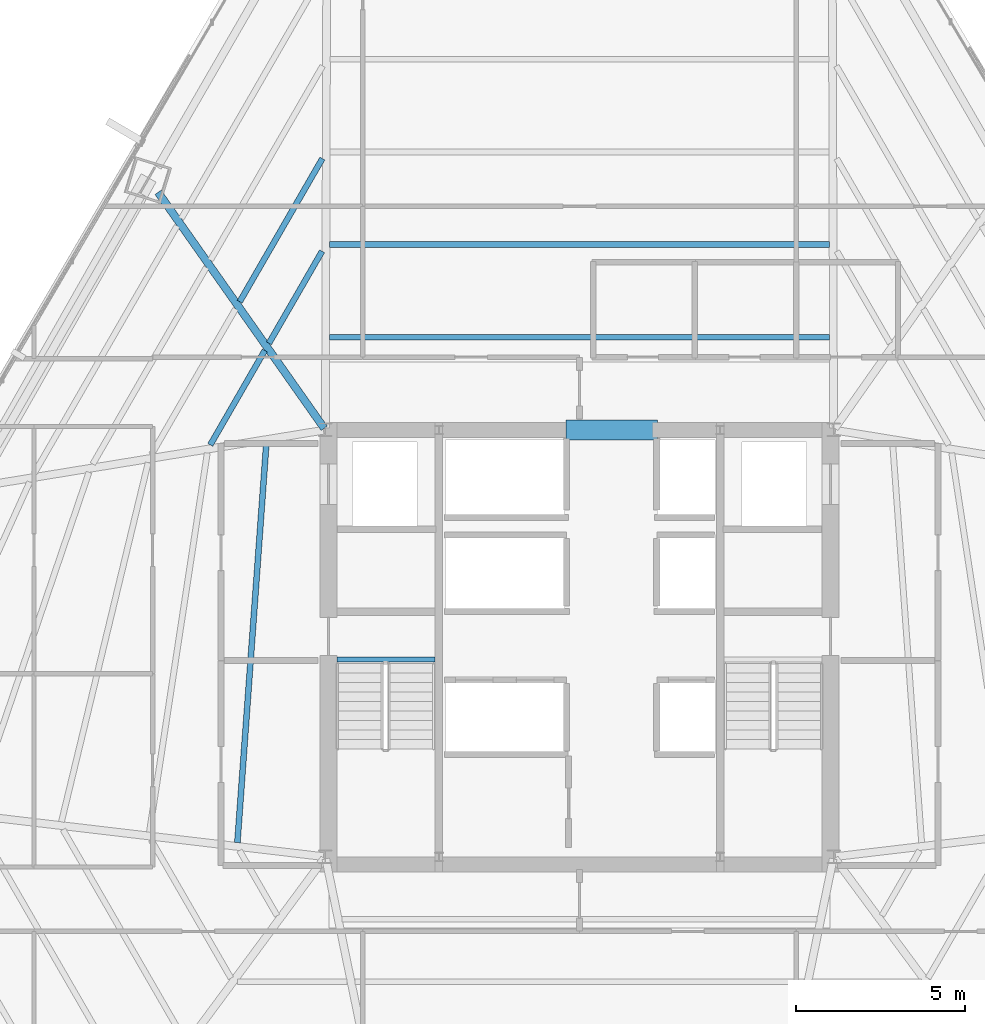
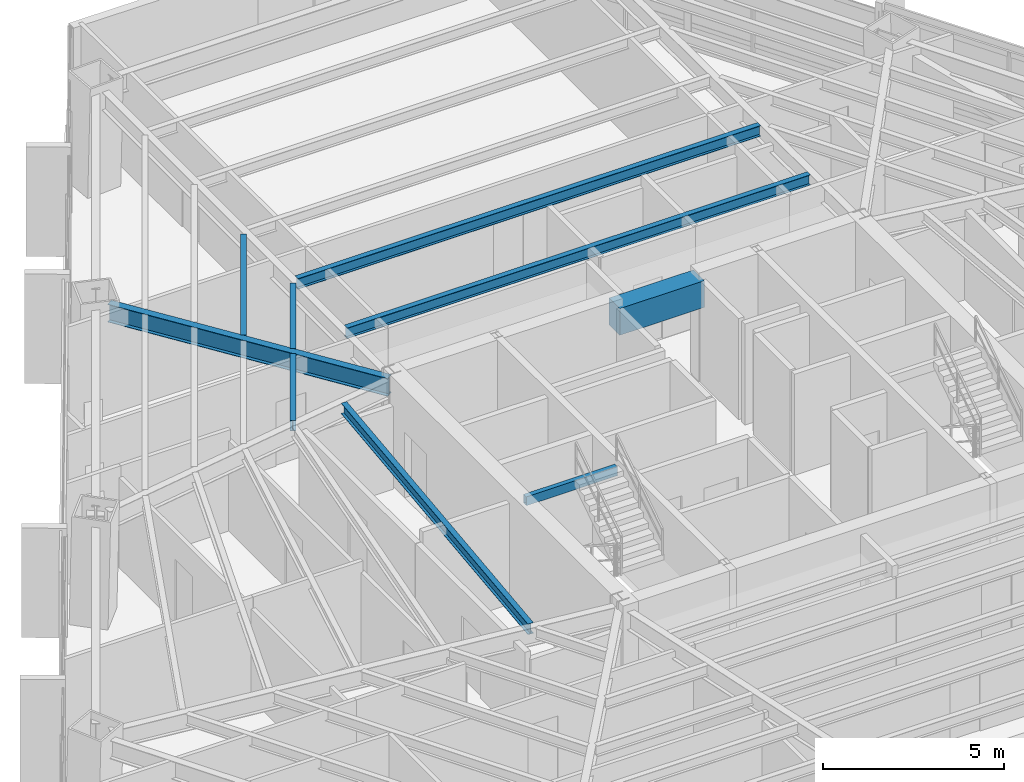
# One storey, part 14 of 37: 9 beams.
"""IFC4 building model written with IfcOpenShell, lengths in metres."""

from ifc_helpers import new_model, si_unit, direction, frame, origin, origin_2d, place, context, subcontext, project, spatial, rectangle, hollow_rectangle, i_section, extrude, source, transform, mapped, material, material_profile, profile_set, type_object, type_shapes, element, save


model = new_model("IFC4")

# Units and contexts
model_context = context("Model", 3, precision=1e-05, world=origin(), true_north=direction((0.0, 1.0)))
body_context = subcontext(model_context, "Body", "Model", "MODEL_VIEW")
ifc_project = project(units=[si_unit("LENGTHUNIT", "METRE"), si_unit("AREAUNIT", "SQUARE_METRE"), si_unit("VOLUMEUNIT", "CUBIC_METRE"), si_unit("PLANEANGLEUNIT", "RADIAN"), si_unit("MASSUNIT", "GRAM", prefix="KILO")], contexts=[model_context])

# Site, building, storey
site_placement = place(None, origin())
site = spatial("IfcSite", under=ifc_project, at=site_placement, CompositionType="ELEMENT")
building_placement = place(site_placement, origin())
building = spatial("IfcBuilding", under=site, at=building_placement, Name="Caelisora Broadcast Tower", CompositionType="ELEMENT")
storey_placement = place(building_placement, frame((0.0, 0.0, 101.75)))
storey = spatial("IfcBuildingStorey", under=building, at=storey_placement, Name="L26", CompositionType="ELEMENT", Elevation=101.75)

# Beams
ifc_material_1 = material(Name="Steel Grade 350 (AS/NZS 1163 C350L0)", Category="steel")
ifc_material_profile_1 = material_profile(ifc_material_1, hollow_rectangle(XDim=0.14990234375, YDim=0.300048828125, WallThickness=0.010009765625, at=origin_2d()), Name="Steel Grade 350 (AS/NZS 1163 C350L0)")
ifc_profile_set_1 = profile_set([ifc_material_profile_1], Name="Steel Grade 350 (AS/NZS 1163 C350L0)")
beam_type_1 = type_object("IfcBeamType", Name="SB05", PredefinedType="JOIST", material=ifc_profile_set_1)
shared_shape_1 = source(origin(), body_context, "Body", "SweptSolid", [
    extrude(hollow_rectangle(XDim=0.14990234375, YDim=0.300048828125, WallThickness=0.010009765625, at=origin_2d()), origin(), (0.0, 0.0, 1.0), 2.89990234375),
])
type_shapes(beam_type_1, [shared_shape_1])
beam_1_placement = place(storey_placement, frame((30.840087890625, 23.219970703125, 3.25), z_axis=(1.0, 0.0, 0.0), x_axis=(0.0, 1.0, 0.0)))
element("IfcBeam", 1, at=beam_1_placement, inside=storey, type_object=beam_type_1, Name="L26 beam SB05", PredefinedType="JOIST", context=body_context, shape_type="MappedRepresentation", body=[
    mapped(shared_shape_1, transform((0.0, 0.0, 0.0), scale=1.0)),
])
ifc_material_2 = material(Name="Concrete 50 MPa (AS 3600 S50)", Category="concrete")
ifc_material_profile_2 = material_profile(ifc_material_2, rectangle(XDim=0.60009765625, YDim=0.89990234375, at=origin_2d()), Name="Concrete 50 MPa (AS 3600 S50)")
ifc_profile_set_2 = profile_set([ifc_material_profile_2], Name="Concrete 50 MPa (AS 3600 S50)")
beam_type_2 = type_object("IfcBeamType", Name="CB02", PredefinedType="LINTEL", material=ifc_profile_set_2)
shared_shape_2 = source(origin(), body_context, "Body", "SweptSolid", [
    extrude(rectangle(XDim=0.60009765625, YDim=0.89990234375, at=origin_2d()), origin(), (0.0, 0.0, 1.0), 2.699951171875),
])
type_shapes(beam_type_2, [shared_shape_2])
beam_2_placement = place(storey_placement, frame((37.60009765625, 30.0, 2.949951171875), z_axis=(1.0, 0.0, 0.0), x_axis=(0.0, 1.0, 0.0)))
element("IfcBeam", 2, at=beam_2_placement, inside=storey, type_object=beam_type_2, Name="L26 beam CB02", PredefinedType="LINTEL", context=body_context, shape_type="MappedRepresentation", body=[
    mapped(shared_shape_2, transform((0.0, 0.0, 0.0), scale=1.0)),
])
ifc_material_3 = material(Name="Steel Grade 350 (AS/NZS 3679.1)", Category="steel")
ifc_material_profile_3 = material_profile(ifc_material_3, i_section(OverallWidth=0.22802734375, OverallDepth=0.602294921875, WebThickness=0.010498046875, FlangeThickness=0.014892578125, at=origin_2d()), Name="Steel Grade 350 (AS/NZS 3679.1)")
ifc_profile_set_3 = profile_set([ifc_material_profile_3], Name="Steel Grade 350 (AS/NZS 3679.1)")
beam_type_3 = type_object("IfcBeamType", Name="PG04", PredefinedType="BEAM", material=ifc_profile_set_3)
shared_shape_3 = source(origin(), body_context, "Body", "SweptSolid", [
    extrude(i_section(OverallWidth=0.22802734375, OverallDepth=0.602294921875, WebThickness=0.010498046875, FlangeThickness=0.014892578125, at=origin_2d()), origin(), (0.0, 0.0, 1.0), 8.516845703125),
])
type_shapes(beam_type_3, [shared_shape_3])
beam_3_placement = place(storey_placement, frame((30.465576171875, 30.049072265625, 3.098876953125), z_axis=(-0.575747581319, 0.817627496239, 0.0), x_axis=(-0.817627496239, -0.575747581319, 0.0)))
element("IfcBeam", 3, at=beam_3_placement, inside=storey, type_object=beam_type_3, Name="L26 beam PG04", PredefinedType="BEAM", context=body_context, shape_type="MappedRepresentation", body=[
    mapped(shared_shape_3, transform((0.0, 0.0, 0.0), scale=1.0)),
])
ifc_material_profile_4 = material_profile(ifc_material_3, i_section(OverallWidth=0.172119140625, OverallDepth=0.358642578125, WebThickness=0.008056640625, FlangeThickness=0.012939453125, at=origin_2d()), Name="Steel Grade 350 (AS/NZS 3679.1)")
ifc_profile_set_4 = profile_set([ifc_material_profile_4], Name="Steel Grade 350 (AS/NZS 3679.1)")
beam_type_4 = type_object("IfcBeamType", Name="SB02", PredefinedType="JOIST", material=ifc_profile_set_4)
shared_shape_4 = source(origin(), body_context, "Body", "SweptSolid", [
    extrude(i_section(OverallWidth=0.172119140625, OverallDepth=0.358642578125, WebThickness=0.008056640625, FlangeThickness=0.012939453125, at=origin_2d()), origin(), (0.0, 0.0, 1.0), 14.76220703125),
])
beam_4_placement = place(storey_placement, frame((45.381103515625, 32.73486328125, 3.220703125), z_axis=(-1.0, 0.0, 0.0), x_axis=(0.0, -1.0, 0.0)))
element("IfcBeam", 4, at=beam_4_placement, inside=storey, type_object=beam_type_4, Name="L26 beam SB02", PredefinedType="JOIST", context=body_context, shape_type="MappedRepresentation", body=[
    mapped(shared_shape_4, transform((0.0, 0.0, 0.0), scale=1.0)),
])
shared_shape_5 = source(origin(), body_context, "Body", "SweptSolid", [
    extrude(i_section(OverallWidth=0.172119140625, OverallDepth=0.358642578125, WebThickness=0.008056640625, FlangeThickness=0.012939453125, at=origin_2d()), origin(), (0.0, 0.0, 1.0), 14.74658203125),
])
beam_5_placement = place(storey_placement, frame((45.373291015625, 35.469482421875, 3.220703125), z_axis=(-1.0, 0.0, 0.0), x_axis=(0.0, -1.0, 0.0)))
element("IfcBeam", 5, at=beam_5_placement, inside=storey, type_object=beam_type_4, Name="L26 beam SB02", PredefinedType="JOIST", context=body_context, shape_type="MappedRepresentation", body=[
    mapped(shared_shape_5, transform((0.0, 0.0, 0.0), scale=1.0)),
])
shared_shape_6 = source(origin(), body_context, "Body", "SweptSolid", [
    extrude(i_section(OverallWidth=0.172119140625, OverallDepth=0.358642578125, WebThickness=0.008056640625, FlangeThickness=0.012939453125, at=origin_2d()), origin(), (0.0, 0.0, 1.0), 3.1357421875),
])
beam_6_placement = place(storey_placement, frame((30.402587890625, 35.273681640625, 3.220703125), z_axis=(-0.500007763792, -0.866020921311, 0.0), x_axis=(0.866020921311, -0.500007763792, 0.0)))
element("IfcBeam", 6, at=beam_6_placement, inside=storey, type_object=beam_type_4, Name="L26 beam SB02", PredefinedType="JOIST", context=body_context, shape_type="MappedRepresentation", body=[
    mapped(shared_shape_6, transform((0.0, 0.0, 0.0), scale=1.0)),
])
shared_shape_7 = source(origin(), body_context, "Body", "SweptSolid", [
    extrude(i_section(OverallWidth=0.172119140625, OverallDepth=0.358642578125, WebThickness=0.008056640625, FlangeThickness=0.012939453125, at=origin_2d()), origin(), (0.0, 0.0, 1.0), 4.8779296875),
])
beam_7_placement = place(storey_placement, frame((30.410400390625, 38.008544921875, 3.220703125), z_axis=(-0.500004065051, -0.866023056814, 0.0), x_axis=(0.866023056814, -0.500004065051, 0.0)))
element("IfcBeam", 7, at=beam_7_placement, inside=storey, type_object=beam_type_4, Name="L26 beam SB02", PredefinedType="JOIST", context=body_context, shape_type="MappedRepresentation", body=[
    mapped(shared_shape_7, transform((0.0, 0.0, 0.0), scale=1.0)),
])
shared_shape_8 = source(origin(), body_context, "Body", "SweptSolid", [
    extrude(i_section(OverallWidth=0.172119140625, OverallDepth=0.358642578125, WebThickness=0.008056640625, FlangeThickness=0.012939453125, at=origin_2d()), origin(), (0.0, 0.0, 1.0), 3.2177734375),
])
beam_8_placement = place(storey_placement, frame((28.712158203125, 32.345703125, 3.220703125), z_axis=(-0.500007057792, -0.866021328928, 0.0), x_axis=(0.866021328928, -0.500007057792, 0.0)))
element("IfcBeam", 8, at=beam_8_placement, inside=storey, type_object=beam_type_4, Name="L26 beam SB02", PredefinedType="JOIST", context=body_context, shape_type="MappedRepresentation", body=[
    mapped(shared_shape_8, transform((0.0, 0.0, 0.0), scale=1.0)),
])
shared_shape_9 = source(origin(), body_context, "Body", "SweptSolid", [
    extrude(i_section(OverallWidth=0.172119140625, OverallDepth=0.358642578125, WebThickness=0.008056640625, FlangeThickness=0.012939453125, at=origin_2d()), origin(), (0.0, 0.0, 1.0), 11.815185546875),
])
type_shapes(beam_type_4, [shared_shape_4, shared_shape_5, shared_shape_6, shared_shape_7, shared_shape_8, shared_shape_9])
beam_9_placement = place(storey_placement, frame((28.75732421875, 29.603271484375, 3.220703125), z_axis=(-0.072342480637, -0.997379850155, 0.0), x_axis=(0.997379850155, -0.072342480637, 0.0)))
element("IfcBeam", 9, at=beam_9_placement, inside=storey, type_object=beam_type_4, Name="L26 beam SB02", PredefinedType="JOIST", context=body_context, shape_type="MappedRepresentation", body=[
    mapped(shared_shape_9, transform((0.0, 0.0, 0.0), scale=1.0)),
])

save(model, "model.ifc")
